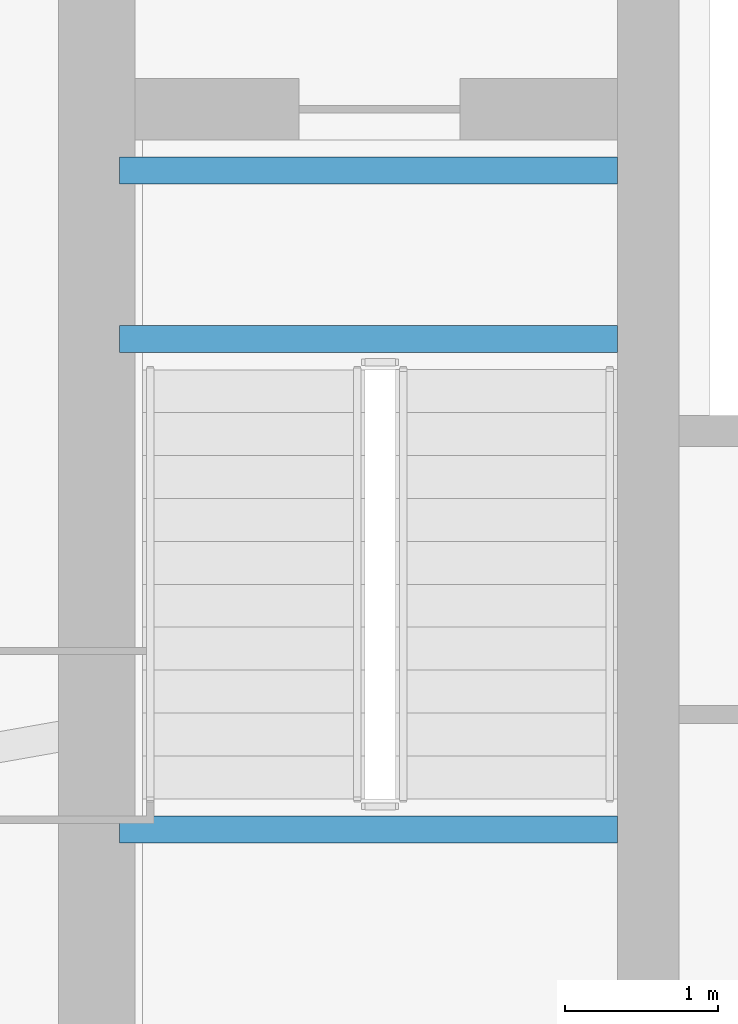
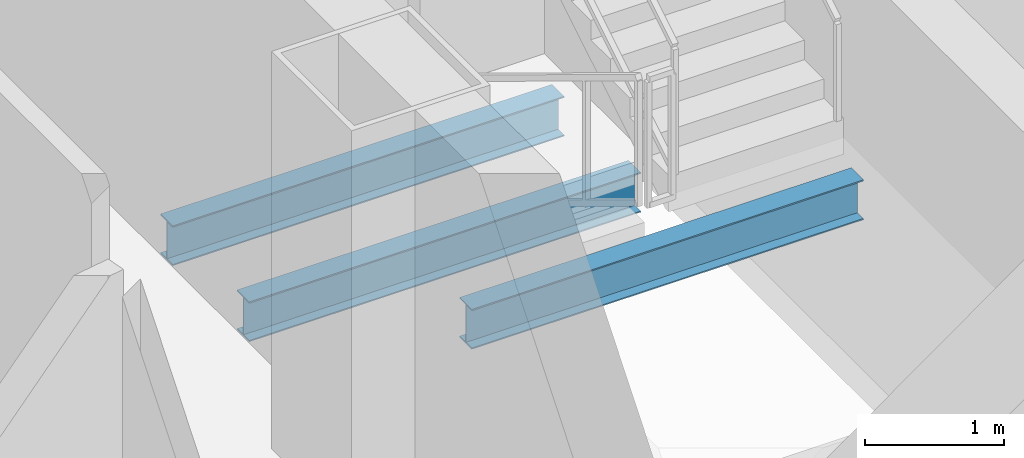
# One storey, part 6 of 27: 3 beams.
"""IFC4 building model written with IfcOpenShell, lengths in metres."""

from ifc_helpers import new_model, si_unit, direction, frame, origin, origin_2d, place, context, subcontext, project, spatial, i_section, extrude, source, transform, mapped, material, material_profile, profile_set, type_object, element, save


model = new_model("IFC4")

# Units and contexts
model_context = context("Model", 3, precision=1e-05, world=origin(), true_north=direction((0.0, 1.0)))
body_context = subcontext(model_context, "Body", "Model", "MODEL_VIEW")
ifc_project = project(units=[si_unit("LENGTHUNIT", "METRE"), si_unit("AREAUNIT", "SQUARE_METRE"), si_unit("VOLUMEUNIT", "CUBIC_METRE"), si_unit("PLANEANGLEUNIT", "RADIAN"), si_unit("MASSUNIT", "GRAM", prefix="KILO"), si_unit("THERMODYNAMICTEMPERATUREUNIT", "KELVIN"), si_unit("POWERUNIT", "WATT")], contexts=[model_context])

# Site, building, storey
site_placement = place(None, origin())
site = spatial("IfcSite", under=ifc_project, at=site_placement, CompositionType="ELEMENT")
building_placement = place(site_placement, origin())
building = spatial("IfcBuilding", under=site, at=building_placement, Name="Yunzhuo Pagoda Commons", CompositionType="ELEMENT")
storey_placement = place(building_placement, frame((0.0, 0.0, 344.260009765625)))
storey = spatial("IfcBuildingStorey", under=building, at=storey_placement, Name="L86", CompositionType="ELEMENT", Elevation=344.260009765625)

# Beams
ifc_material = material(Name="Structural steel Q355B", Category="steel")
ifc_material_profile = material_profile(ifc_material, i_section(OverallWidth=0.175048828125, OverallDepth=0.35009765625, WebThickness=0.007080078125, FlangeThickness=0.010986328125, at=origin_2d()), Name="Structural steel Q355B")
ifc_profile_set = profile_set([ifc_material_profile], Name="Structural steel Q355B")
beam_type = type_object("IfcBeamType", Name="B-JS2 Joist HN 350x175x7x11", PredefinedType="JOIST", material=ifc_profile_set)
shared_shape = source(origin(), body_context, "Body", "SweptSolid", [
    extrude(i_section(OverallWidth=0.175048828125, OverallDepth=0.35009765625, WebThickness=0.007080078125, FlangeThickness=0.010986328125, at=origin_2d()), origin(), (0.0, 0.0, 1.0), 3.25),
])
for number, where, z_axis, x_axis, name in (
    (1, (35.949951171875, 30.89990234375, 1.5), (1.0, 0.0, 0.0), (0.0, 1.0, 0.0), "L86 ST1 landing support beam 92B"),
    (2, (35.949951171875, 34.10009765625, -0.375), (1.0, 0.0, 0.0), (0.0, 1.0, 0.0), "L86 ST1 landing support beam 190A"),
    (3, (35.949951171875, 35.199951171875, -0.375), (1.0, 0.0, 0.0), (0.0, 1.0, 0.0), "L86 ST1 landing support beam 190B"),
):
    element("IfcBeam", number, at=place(storey_placement, frame(where, z_axis=z_axis, x_axis=x_axis)), inside=storey, type_object=beam_type, Name=name, PredefinedType="JOIST", context=body_context, shape_type="MappedRepresentation", body=[
        mapped(shared_shape, transform((0.0, 0.0, 0.0), scale=1.0)),
    ])

save(model, "model.ifc")
